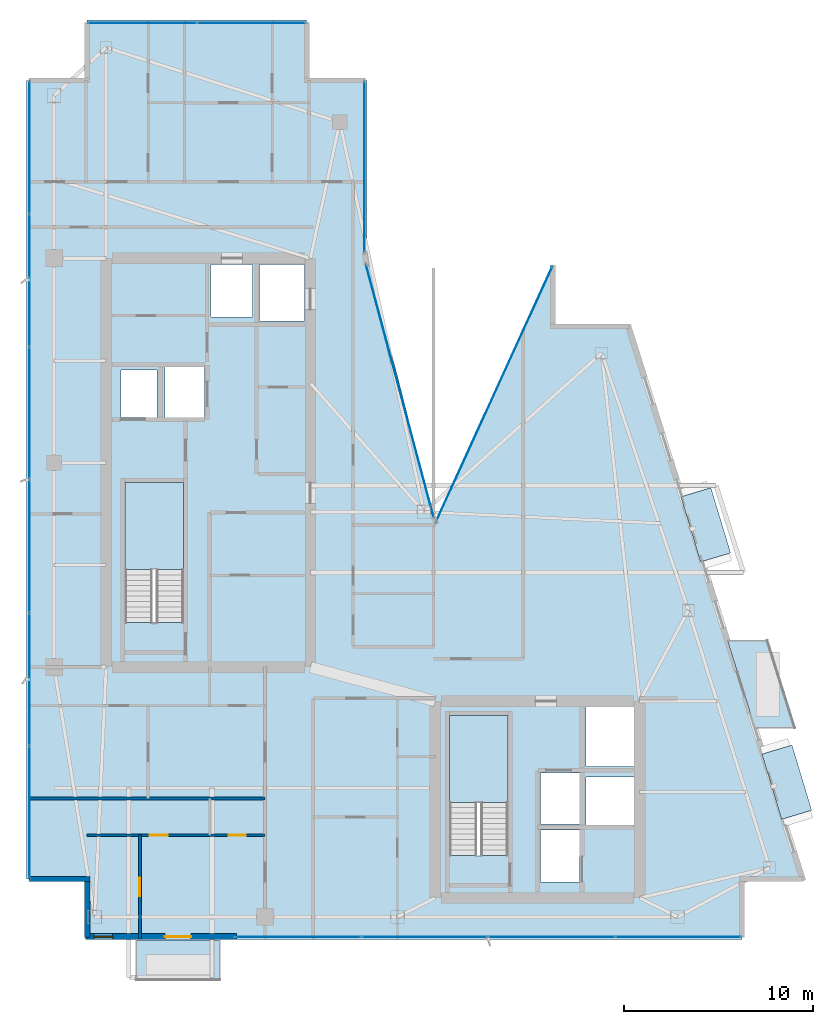
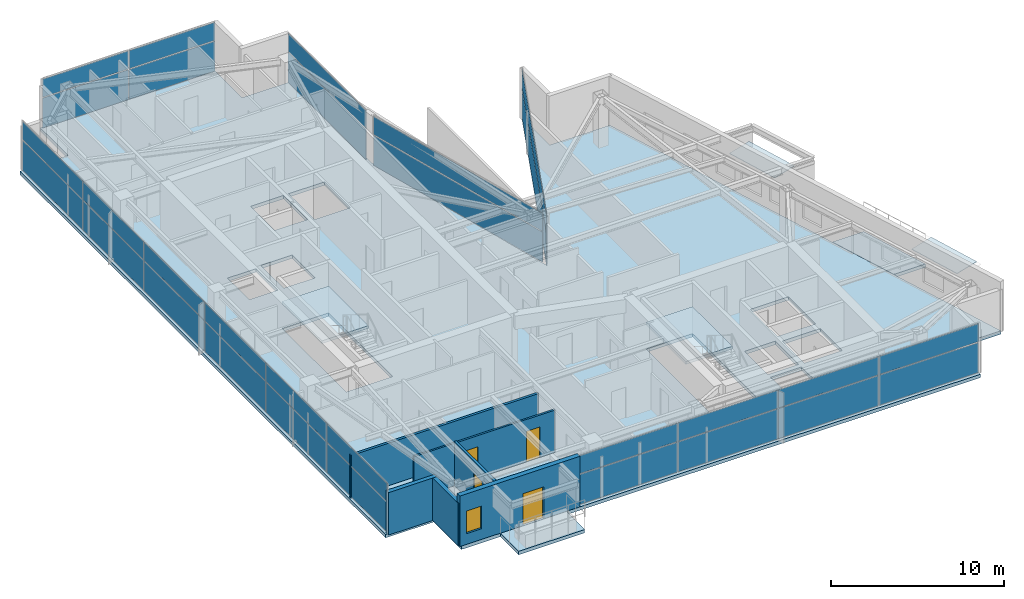
# One storey, part 21 of 27: 32 plates, 6 walls, 5 slabs, 4 doors, 1 window, 5 openings, 8 elements without a shape of their own.
"""IFC4 building model written with IfcOpenShell, lengths in metres."""

from ifc_helpers import new_model, si_unit, direction, frame, frame_2d, origin, origin_2d, place, context, subcontext, project, spatial, polyline, rectangle, outline, extrude, material, layer, layer_set, type_object, element, fill, aggregate, save


model = new_model("IFC4")

# Units and contexts
model_context = context("Model", 3, precision=1e-05, world=origin(), true_north=direction((0.0, 1.0)))
body_context = subcontext(model_context, "Body", "Model", "MODEL_VIEW")
ifc_project = project(units=[si_unit("LENGTHUNIT", "METRE"), si_unit("AREAUNIT", "SQUARE_METRE"), si_unit("VOLUMEUNIT", "CUBIC_METRE"), si_unit("PLANEANGLEUNIT", "RADIAN"), si_unit("MASSUNIT", "GRAM", prefix="KILO")], contexts=[model_context])

# Site, building, storey
site_placement = place(None, origin())
site = spatial("IfcSite", under=ifc_project, at=site_placement, CompositionType="ELEMENT")
building_placement = place(site_placement, origin())
building = spatial("IfcBuilding", under=site, at=building_placement, Name="Calvorn Quay Hotel", CompositionType="ELEMENT")
storey_placement = place(building_placement, frame((0.0, 0.0, 298.699951171875)))
storey = spatial("IfcBuildingStorey", under=building, at=storey_placement, Name="L74", CompositionType="ELEMENT", Elevation=298.699951171875)

# Curtain wall, plates
ifc_material_1 = material(Name="Champagne Bronze Anodised Aluminium and Low-E Glass", Category="aluminium")
ifc_layer_1 = layer(ifc_material_1, 0.219970703125)
ifc_layer_set_1 = layer_set([ifc_layer_1], Name="CW-SYS-Z4")
curtain_wall_type = type_object("IfcCurtainWallType", Name="CW-SYS-Z4", PredefinedType="NOTDEFINED", material=ifc_layer_set_1)
curtain_wall_1_placement = place(storey_placement, origin())
curtain_wall_1 = element("IfcCurtainWall", 1, at=curtain_wall_1_placement, inside=storey, type_object=curtain_wall_type, Name="Tower West Curtain Wall (L74)", PredefinedType="NOTDEFINED")
ifc_material_2 = material(Name="Low-E Laminated Double Glazing", Category="glass")
ifc_layer_2 = layer(ifc_material_2, 0.028076171875)
ifc_layer_set_2 = layer_set([ifc_layer_2], Name="CW-SYS-Z4-PAN")
plate_type_1 = type_object("IfcPlateType", Name="CW-SYS-Z4-PAN", PredefinedType="CURTAIN_PANEL", material=ifc_layer_set_2)
plate_1_placement = place(storey_placement, frame((0.14990234375, 9.131591796875, 0.06005859375), z_axis=(0.0, 0.0, 1.0), x_axis=(0.0, 1.0, 0.0)))
plate_1 = element("IfcPlate", 2, at=plate_1_placement, type_object=plate_type_1, Name="CW-L74-W panel 1.1", PredefinedType="CURTAIN_PANEL", context=body_context, shape_type="SweptSolid", body=[
    extrude(rectangle(XDim=6.943359375, YDim=0.028076171875, at=origin_2d()), origin(), (0.0, 0.0, 1.0), 2.110107421875),
])
plate_2_placement = place(storey_placement, frame((0.14990234375, 9.131591796875, 2.22998046875), z_axis=(0.0, 0.0, 1.0), x_axis=(0.0, 1.0, 0.0)))
plate_2 = element("IfcPlate", 3, at=plate_2_placement, type_object=plate_type_1, Name="CW-L74-W panel 1.2", PredefinedType="CURTAIN_PANEL", context=body_context, shape_type="SweptSolid", body=[
    extrude(rectangle(XDim=6.943359375, YDim=0.028076171875, at=origin_2d()), origin(), (0.0, 0.0, 1.0), 1.27001953125),
])
plate_3_placement = place(storey_placement, frame((0.14990234375, 16.14990234375, 0.06005859375), z_axis=(0.0, 0.0, 1.0), x_axis=(0.0, 1.0, 0.0)))
plate_3 = element("IfcPlate", 4, at=plate_3_placement, type_object=plate_type_1, Name="CW-L74-W panel 2.1", PredefinedType="CURTAIN_PANEL", context=body_context, shape_type="SweptSolid", body=[
    extrude(rectangle(XDim=6.973388671875, YDim=0.028076171875, at=origin_2d()), origin(), (0.0, 0.0, 1.0), 2.110107421875),
])
plate_4_placement = place(storey_placement, frame((0.14990234375, 16.14990234375, 2.22998046875), z_axis=(0.0, 0.0, 1.0), x_axis=(0.0, 1.0, 0.0)))
plate_4 = element("IfcPlate", 5, at=plate_4_placement, type_object=plate_type_1, Name="CW-L74-W panel 2.2", PredefinedType="CURTAIN_PANEL", context=body_context, shape_type="SweptSolid", body=[
    extrude(rectangle(XDim=6.973388671875, YDim=0.028076171875, at=origin_2d()), origin(), (0.0, 0.0, 1.0), 1.27001953125),
])
plate_5_placement = place(storey_placement, frame((0.14990234375, 23.183349609375, 0.06005859375), z_axis=(0.0, 0.0, 1.0), x_axis=(0.0, 1.0, 0.0)))
plate_5 = element("IfcPlate", 6, at=plate_5_placement, type_object=plate_type_1, Name="CW-L74-W panel 3.1", PredefinedType="CURTAIN_PANEL", context=body_context, shape_type="SweptSolid", body=[
    extrude(rectangle(XDim=6.973388671875, YDim=0.028076171875, at=origin_2d()), origin(), (0.0, 0.0, 1.0), 2.110107421875),
])
plate_6_placement = place(storey_placement, frame((0.14990234375, 23.183349609375, 2.22998046875), z_axis=(0.0, 0.0, 1.0), x_axis=(0.0, 1.0, 0.0)))
plate_6 = element("IfcPlate", 7, at=plate_6_placement, type_object=plate_type_1, Name="CW-L74-W panel 3.2", PredefinedType="CURTAIN_PANEL", context=body_context, shape_type="SweptSolid", body=[
    extrude(rectangle(XDim=6.973388671875, YDim=0.028076171875, at=origin_2d()), origin(), (0.0, 0.0, 1.0), 1.27001953125),
])
plate_7_placement = place(storey_placement, frame((0.14990234375, 30.216552734375, 0.06005859375), z_axis=(0.0, 0.0, 1.0), x_axis=(0.0, 1.0, 0.0)))
plate_7 = element("IfcPlate", 8, at=plate_7_placement, type_object=plate_type_1, Name="CW-L74-W panel 4.1", PredefinedType="CURTAIN_PANEL", context=body_context, shape_type="SweptSolid", body=[
    extrude(rectangle(XDim=6.973388671875, YDim=0.028076171875, at=origin_2d()), origin(), (0.0, 0.0, 1.0), 2.110107421875),
])
plate_8_placement = place(storey_placement, frame((0.14990234375, 30.216552734375, 2.22998046875), z_axis=(0.0, 0.0, 1.0), x_axis=(0.0, 1.0, 0.0)))
plate_8 = element("IfcPlate", 9, at=plate_8_placement, type_object=plate_type_1, Name="CW-L74-W panel 4.2", PredefinedType="CURTAIN_PANEL", context=body_context, shape_type="SweptSolid", body=[
    extrude(rectangle(XDim=6.973388671875, YDim=0.028076171875, at=origin_2d()), origin(), (0.0, 0.0, 1.0), 1.27001953125),
])
plate_9_placement = place(storey_placement, frame((0.14990234375, 37.25, 0.06005859375), z_axis=(0.0, 0.0, 1.0), x_axis=(0.0, 1.0, 0.0)))
plate_9 = element("IfcPlate", 10, at=plate_9_placement, type_object=plate_type_1, Name="CW-L74-W panel 5.1", PredefinedType="CURTAIN_PANEL", context=body_context, shape_type="SweptSolid", body=[
    extrude(rectangle(XDim=6.973388671875, YDim=0.028076171875, at=origin_2d()), origin(), (0.0, 0.0, 1.0), 2.110107421875),
])
plate_10_placement = place(storey_placement, frame((0.14990234375, 37.25, 2.22998046875), z_axis=(0.0, 0.0, 1.0), x_axis=(0.0, 1.0, 0.0)))
plate_10 = element("IfcPlate", 11, at=plate_10_placement, type_object=plate_type_1, Name="CW-L74-W panel 5.2", PredefinedType="CURTAIN_PANEL", context=body_context, shape_type="SweptSolid", body=[
    extrude(rectangle(XDim=6.973388671875, YDim=0.028076171875, at=origin_2d()), origin(), (0.0, 0.0, 1.0), 1.27001953125),
])
plate_11_placement = place(storey_placement, frame((0.14990234375, 44.268310546875, 0.06005859375), z_axis=(0.0, 0.0, 1.0), x_axis=(0.0, 1.0, 0.0)))
plate_11 = element("IfcPlate", 12, at=plate_11_placement, type_object=plate_type_1, Name="CW-L74-W panel 6.1", PredefinedType="CURTAIN_PANEL", context=body_context, shape_type="SweptSolid", body=[
    extrude(rectangle(XDim=6.943359375, YDim=0.028076171875, at=origin_2d()), origin(), (0.0, 0.0, 1.0), 2.110107421875),
])
plate_12_placement = place(storey_placement, frame((0.14990234375, 44.268310546875, 2.22998046875), z_axis=(0.0, 0.0, 1.0), x_axis=(0.0, 1.0, 0.0)))
plate_12 = element("IfcPlate", 13, at=plate_12_placement, type_object=plate_type_1, Name="CW-L74-W panel 6.2", PredefinedType="CURTAIN_PANEL", context=body_context, shape_type="SweptSolid", body=[
    extrude(rectangle(XDim=6.943359375, YDim=0.028076171875, at=origin_2d()), origin(), (0.0, 0.0, 1.0), 1.27001953125),
])
aggregate(curtain_wall_1, [plate_1, plate_2, plate_3, plate_4, plate_5, plate_6, plate_7, plate_8, plate_9, plate_10, plate_11, plate_12])

curtain_wall_2_placement = place(storey_placement, origin())
curtain_wall_2 = element("IfcCurtainWall", 14, at=curtain_wall_2_placement, inside=storey, type_object=curtain_wall_type, Name="Tower South Waterfront Curtain Wall (L74)", PredefinedType="NOTDEFINED")
plate_13_placement = place(storey_placement, frame((14.364990234375, 2.550048828125, 0.06005859375), z_axis=(0.0, 0.0, 1.0), x_axis=(1.0, 0.0, 0.0)))
plate_13 = element("IfcPlate", 15, at=plate_13_placement, type_object=plate_type_1, Name="CW-L74-S panel 1.1", PredefinedType="CURTAIN_PANEL", context=body_context, shape_type="SweptSolid", body=[
    extrude(rectangle(XDim=6.610107421875, YDim=0.028076171875, at=origin_2d()), origin(), (0.0, 0.0, 1.0), 2.110107421875),
])
plate_14_placement = place(storey_placement, frame((14.364990234375, 2.550048828125, 2.22998046875), z_axis=(0.0, 0.0, 1.0), x_axis=(1.0, 0.0, 0.0)))
plate_14 = element("IfcPlate", 16, at=plate_14_placement, type_object=plate_type_1, Name="CW-L74-S panel 1.2", PredefinedType="CURTAIN_PANEL", context=body_context, shape_type="SweptSolid", body=[
    extrude(rectangle(XDim=6.610107421875, YDim=0.028076171875, at=origin_2d()), origin(), (0.0, 0.0, 1.0), 1.27001953125),
])
plate_15_placement = place(storey_placement, frame((21.050048828125, 2.550048828125, 0.06005859375), z_axis=(0.0, 0.0, 1.0), x_axis=(1.0, 0.0, 0.0)))
plate_15 = element("IfcPlate", 17, at=plate_15_placement, type_object=plate_type_1, Name="CW-L74-S panel 2.1", PredefinedType="CURTAIN_PANEL", context=body_context, shape_type="SweptSolid", body=[
    extrude(rectangle(XDim=6.639892578125, YDim=0.028076171875, at=origin_2d()), origin(), (0.0, 0.0, 1.0), 2.110107421875),
])
plate_16_placement = place(storey_placement, frame((21.050048828125, 2.550048828125, 2.22998046875), z_axis=(0.0, 0.0, 1.0), x_axis=(1.0, 0.0, 0.0)))
plate_16 = element("IfcPlate", 18, at=plate_16_placement, type_object=plate_type_1, Name="CW-L74-S panel 2.2", PredefinedType="CURTAIN_PANEL", context=body_context, shape_type="SweptSolid", body=[
    extrude(rectangle(XDim=6.639892578125, YDim=0.028076171875, at=origin_2d()), origin(), (0.0, 0.0, 1.0), 1.27001953125),
])
plate_17_placement = place(storey_placement, frame((27.75, 2.550048828125, 0.06005859375), z_axis=(0.0, 0.0, 1.0), x_axis=(1.0, 0.0, 0.0)))
plate_17 = element("IfcPlate", 19, at=plate_17_placement, type_object=plate_type_1, Name="CW-L74-S panel 3.1", PredefinedType="CURTAIN_PANEL", context=body_context, shape_type="SweptSolid", body=[
    extrude(rectangle(XDim=6.639892578125, YDim=0.028076171875, at=origin_2d()), origin(), (0.0, 0.0, 1.0), 2.110107421875),
])
plate_18_placement = place(storey_placement, frame((27.75, 2.550048828125, 2.22998046875), z_axis=(0.0, 0.0, 1.0), x_axis=(1.0, 0.0, 0.0)))
plate_18 = element("IfcPlate", 20, at=plate_18_placement, type_object=plate_type_1, Name="CW-L74-S panel 3.2", PredefinedType="CURTAIN_PANEL", context=body_context, shape_type="SweptSolid", body=[
    extrude(rectangle(XDim=6.639892578125, YDim=0.028076171875, at=origin_2d()), origin(), (0.0, 0.0, 1.0), 1.27001953125),
])
plate_19_placement = place(storey_placement, frame((34.43505859375, 2.550048828125, 0.06005859375), z_axis=(0.0, 0.0, 1.0), x_axis=(1.0, 0.0, 0.0)))
plate_19 = element("IfcPlate", 21, at=plate_19_placement, type_object=plate_type_1, Name="CW-L74-S panel 4.1", PredefinedType="CURTAIN_PANEL", context=body_context, shape_type="SweptSolid", body=[
    extrude(rectangle(XDim=6.610107421875, YDim=0.028076171875, at=origin_2d()), origin(), (0.0, 0.0, 1.0), 2.110107421875),
])
plate_20_placement = place(storey_placement, frame((34.43505859375, 2.550048828125, 2.22998046875), z_axis=(0.0, 0.0, 1.0), x_axis=(1.0, 0.0, 0.0)))
plate_20 = element("IfcPlate", 22, at=plate_20_placement, type_object=plate_type_1, Name="CW-L74-S panel 4.2", PredefinedType="CURTAIN_PANEL", context=body_context, shape_type="SweptSolid", body=[
    extrude(rectangle(XDim=6.610107421875, YDim=0.028076171875, at=origin_2d()), origin(), (0.0, 0.0, 1.0), 1.27001953125),
])
aggregate(curtain_wall_2, [plate_13, plate_14, plate_15, plate_16, plate_17, plate_18, plate_19, plate_20])

curtain_wall_3_placement = place(storey_placement, origin())
curtain_wall_3 = element("IfcCurtainWall", 23, at=curtain_wall_3_placement, inside=storey, type_object=curtain_wall_type, Name="Inner Court Curtain Wall L74-NE1", PredefinedType="NOTDEFINED")
plate_21_placement = place(storey_placement, frame((24.699951171875, 31.199951171875, 0.06005859375), z_axis=(0.0, 0.0, 1.0), x_axis=(-0.414810847724, -0.909907665981, 0.0)))
plate_21 = element("IfcPlate", 24, at=plate_21_placement, type_object=plate_type_1, Name="CW-L74-NE1 panel 1.1", PredefinedType="CURTAIN_PANEL", context=body_context, shape_type="SweptSolid", body=[
    extrude(rectangle(XDim=14.82666015625, YDim=0.028076171875, at=origin_2d()), origin(), (0.0, 0.0, 1.0), 2.110107421875),
])
plate_22_placement = place(storey_placement, frame((24.699951171875, 31.199951171875, 2.22998046875), z_axis=(0.0, 0.0, 1.0), x_axis=(-0.414810847724, -0.909907665981, 0.0)))
plate_22 = element("IfcPlate", 25, at=plate_22_placement, type_object=plate_type_1, Name="CW-L74-NE1 panel 1.2", PredefinedType="CURTAIN_PANEL", context=body_context, shape_type="SweptSolid", body=[
    extrude(rectangle(XDim=14.82666015625, YDim=0.028076171875, at=origin_2d()), origin(), (0.0, 0.0, 1.0), 1.27001953125),
])
aggregate(curtain_wall_3, [plate_21, plate_22])

curtain_wall_4_placement = place(storey_placement, origin())
curtain_wall_4 = element("IfcCurtainWall", 26, at=curtain_wall_4_placement, inside=storey, type_object=curtain_wall_type, Name="Inner Court Curtain Wall L74-IC1", PredefinedType="NOTDEFINED")
plate_23_placement = place(storey_placement, frame((19.72509765625, 31.39990234375, 0.06005859375), z_axis=(0.0, 0.0, 1.0), x_axis=(-0.25877913024, 0.96593652056, 0.0)))
plate_23 = element("IfcPlate", 27, at=plate_23_placement, type_object=plate_type_1, Name="CW-L74-IC1 panel 1.1", PredefinedType="CURTAIN_PANEL", context=body_context, shape_type="SweptSolid", body=[
    extrude(rectangle(XDim=13.814697265625, YDim=0.028076171875, at=origin_2d()), origin(), (0.0, 0.0, 1.0), 2.110107421875),
])
plate_24_placement = place(storey_placement, frame((19.72509765625, 31.39990234375, 2.22998046875), z_axis=(0.0, 0.0, 1.0), x_axis=(-0.25877913024, 0.96593652056, 0.0)))
plate_24 = element("IfcPlate", 28, at=plate_24_placement, type_object=plate_type_1, Name="CW-L74-IC1 panel 1.2", PredefinedType="CURTAIN_PANEL", context=body_context, shape_type="SweptSolid", body=[
    extrude(rectangle(XDim=13.814697265625, YDim=0.028076171875, at=origin_2d()), origin(), (0.0, 0.0, 1.0), 1.27001953125),
])
aggregate(curtain_wall_4, [plate_23, plate_24])

curtain_wall_5_placement = place(storey_placement, origin())
curtain_wall_5 = element("IfcCurtainWall", 29, at=curtain_wall_5_placement, inside=storey, type_object=curtain_wall_type, Name="Inner Court Curtain Wall L74-IC2", PredefinedType="NOTDEFINED")
plate_25_placement = place(storey_placement, frame((17.85009765625, 43.239990234375, 0.06005859375), z_axis=(0.0, 0.0, 1.0), x_axis=(0.0, 1.0, 0.0)))
plate_25 = element("IfcPlate", 30, at=plate_25_placement, type_object=plate_type_1, Name="CW-L74-IC2 panel 1.1", PredefinedType="CURTAIN_PANEL", context=body_context, shape_type="SweptSolid", body=[
    extrude(rectangle(XDim=9.0, YDim=0.028076171875, at=origin_2d()), origin(), (0.0, 0.0, 1.0), 2.110107421875),
])
plate_26_placement = place(storey_placement, frame((17.85009765625, 43.239990234375, 2.22998046875), z_axis=(0.0, 0.0, 1.0), x_axis=(0.0, 1.0, 0.0)))
plate_26 = element("IfcPlate", 31, at=plate_26_placement, type_object=plate_type_1, Name="CW-L74-IC2 panel 1.2", PredefinedType="CURTAIN_PANEL", context=body_context, shape_type="SweptSolid", body=[
    extrude(rectangle(XDim=9.0, YDim=0.028076171875, at=origin_2d()), origin(), (0.0, 0.0, 1.0), 1.27001953125),
])
aggregate(curtain_wall_5, [plate_25, plate_26])

curtain_wall_6_placement = place(storey_placement, origin())
curtain_wall_6 = element("IfcCurtainWall", 32, at=curtain_wall_6_placement, inside=storey, type_object=curtain_wall_type, Name="Inner Court Curtain Wall L74-N1", PredefinedType="NOTDEFINED")
plate_27_placement = place(storey_placement, frame((11.885009765625, 50.85009765625, 0.06005859375), z_axis=(0.0, 0.0, 1.0), x_axis=(-1.0, 0.0, 0.0)))
plate_27 = element("IfcPlate", 33, at=plate_27_placement, type_object=plate_type_1, Name="CW-L74-N1 panel 1.1", PredefinedType="CURTAIN_PANEL", context=body_context, shape_type="SweptSolid", body=[
    extrude(rectangle(XDim=5.7099609375, YDim=0.028076171875, at=origin_2d()), origin(), (0.0, 0.0, 1.0), 2.110107421875),
])
plate_28_placement = place(storey_placement, frame((11.885009765625, 50.85009765625, 2.22998046875), z_axis=(0.0, 0.0, 1.0), x_axis=(-1.0, 0.0, 0.0)))
plate_28 = element("IfcPlate", 34, at=plate_28_placement, type_object=plate_type_1, Name="CW-L74-N1 panel 1.2", PredefinedType="CURTAIN_PANEL", context=body_context, shape_type="SweptSolid", body=[
    extrude(rectangle(XDim=5.7099609375, YDim=0.028076171875, at=origin_2d()), origin(), (0.0, 0.0, 1.0), 1.27001953125),
])
plate_29_placement = place(storey_placement, frame((6.114990234375, 50.85009765625, 0.06005859375), z_axis=(0.0, 0.0, 1.0), x_axis=(-1.0, 0.0, 0.0)))
plate_29 = element("IfcPlate", 35, at=plate_29_placement, type_object=plate_type_1, Name="CW-L74-N1 panel 2.1", PredefinedType="CURTAIN_PANEL", context=body_context, shape_type="SweptSolid", body=[
    extrude(rectangle(XDim=5.7099609375, YDim=0.028076171875, at=origin_2d()), origin(), (0.0, 0.0, 1.0), 2.110107421875),
])
plate_30_placement = place(storey_placement, frame((6.114990234375, 50.85009765625, 2.22998046875), z_axis=(0.0, 0.0, 1.0), x_axis=(-1.0, 0.0, 0.0)))
plate_30 = element("IfcPlate", 36, at=plate_30_placement, type_object=plate_type_1, Name="CW-L74-N1 panel 2.2", PredefinedType="CURTAIN_PANEL", context=body_context, shape_type="SweptSolid", body=[
    extrude(rectangle(XDim=5.7099609375, YDim=0.028076171875, at=origin_2d()), origin(), (0.0, 0.0, 1.0), 1.27001953125),
])
aggregate(curtain_wall_6, [plate_27, plate_28, plate_29, plate_30])

# Plates
ifc_material_3 = material(Name="Tempered Laminated Low-E Glass", Category="glass")
ifc_layer_3 = layer(ifc_material_3, 0.0380859375)
ifc_layer_set_3 = layer_set([ifc_layer_3], Name="PLT-HOOD-GLAZ")
plate_type_2 = type_object("IfcPlateType", Name="PLT-HOOD-GLAZ", PredefinedType="SHEET", material=ifc_layer_set_3)
for number, where, z_axis, x_axis, name in (
    (37, (40.174072265625, 10.718017578125, 2.467041015625), (0.0, 0.0, 1.0), (0.957319497532, 0.289031796944, 0.0), "Angled Glass Bay Hood Panel L74-HOOD-1"),
    (38, (35.888916015625, 24.318115234375, 2.467041015625), (0.0, 0.0, 1.0), (0.957319497532, 0.289031796944, 0.0), "Angled Glass Bay Hood Panel L74-HOOD-3"),
):
    element("IfcPlate", number, at=place(storey_placement, frame(where, z_axis=z_axis, x_axis=x_axis)), inside=storey, type_object=plate_type_2, Name=name, PredefinedType="SHEET", context=body_context, shape_type="SweptSolid", body=[
        extrude(rectangle(XDim=1.659912109375, YDim=3.60009765625, at=origin_2d()), origin(), (0.0, 0.0, 1.0), 0.0380859375),
    ])

# Slabs
ifc_material_4 = material(Name="Concrete C40", Category="concrete")
ifc_layer_4 = layer(ifc_material_4, 0.239990234375)
ifc_layer_set_4 = layer_set([ifc_layer_4], Name="SLB-BALCONY-220")
slab_type_1 = type_object("IfcSlabType", Name="SLB-BALCONY-220", PredefinedType="FLOOR", material=ifc_layer_set_4)
slab_1_placement = place(storey_placement, frame((0.0, 0.0, -0.239990234375)))
element("IfcSlab", 39, at=slab_1_placement, inside=storey, type_object=slab_type_1, Name="Tree Balcony Slab L74-BALC-E", PredefinedType="FLOOR", context=body_context, shape_type="SweptSolid", body=[
    extrude(outline(polyline([(38.489013671875, 13.60009765625), (40.589111328125, 13.60009765625), (39.139892578125, 18.199951171875), (37.0400390625, 18.199951171875), (38.489013671875, 13.60009765625)])), origin(), (0.0, 0.0, 1.0), 0.239990234375),
])
slab_2_placement = place(storey_placement, frame((0.0, 0.0, -0.239990234375)))
element("IfcSlab", 40, at=slab_2_placement, inside=storey, type_object=slab_type_1, Name="Tree Balcony Slab L74-BALC-S", PredefinedType="FLOOR", context=body_context, shape_type="SweptSolid", body=[
    extrude(outline(polyline([(5.800048828125, 0.2900390625), (10.199951171875, 0.2900390625), (10.199951171875, 2.389892578125), (5.800048828125, 2.389892578125), (5.800048828125, 0.2900390625)])), origin(), (0.0, 0.0, 1.0), 0.239990234375),
])

# Stair, slab
ifc_material_5 = material(Name="Concrete C40", Category="concrete")
stair_type = type_object("IfcStairType", Name="STR-CORE-DOGLEG", PredefinedType="HALF_TURN_STAIR", material=ifc_material_5)
stair_1_placement = place(storey_placement, origin())
stair_1 = element("IfcStair", 41, at=stair_1_placement, inside=storey, type_object=stair_type, Name="L74 ST-W", PredefinedType="HALF_TURN_STAIR")
ifc_material_6 = material(Name="Concrete C40", Category="concrete")
ifc_layer_5 = layer(ifc_material_6, 0.199951171875)
ifc_layer_set_5 = layer_set([ifc_layer_5], Name="SLB-STAIR-LANDING-200")
slab_type_2 = type_object("IfcSlabType", Name="SLB-STAIR-LANDING-200", PredefinedType="LANDING", material=ifc_layer_set_5)
slab_3_placement = place(storey_placement, frame((0.0, 0.0, 1.699951171875)))
slab_3 = element("IfcSlab", 42, at=slab_3_placement, type_object=slab_type_2, Name="ST-W landing 1", PredefinedType="LANDING", context=body_context, shape_type="SweptSolid", body=[
    extrude(outline(polyline([(8.300048828125, 21.949951171875), (8.300048828125, 26.550048828125), (5.199951171875, 26.550048828125), (5.199951171875, 21.949951171875), (8.300048828125, 21.949951171875)])), origin(), (0.0, 0.0, 1.0), 0.2001953125),
])
aggregate(stair_1, [slab_3])

stair_2_placement = place(storey_placement, origin())
stair_2 = element("IfcStair", 43, at=stair_2_placement, inside=storey, type_object=stair_type, Name="L74 ST-E", PredefinedType="HALF_TURN_STAIR")
slab_4_placement = place(storey_placement, frame((0.0, 0.0, 1.699951171875)))
slab_4 = element("IfcSlab", 44, at=slab_4_placement, type_object=slab_type_2, Name="ST-E landing 1", PredefinedType="LANDING", context=body_context, shape_type="SweptSolid", body=[
    extrude(outline(polyline([(25.449951171875, 9.64990234375), (25.449951171875, 14.25), (22.35009765625, 14.25), (22.35009765625, 9.64990234375), (25.449951171875, 9.64990234375)])), origin(), (0.0, 0.0, 1.0), 0.2001953125),
])
aggregate(stair_2, [slab_4])

# Slab
ifc_material_7 = material(Name="Concrete C40", Category="concrete")
ifc_layer_6 = layer(ifc_material_7, 0.239990234375)
ifc_layer_set_6 = layer_set([ifc_layer_6], Name="SLB-TOWER-240")
slab_type_3 = type_object("IfcSlabType", Name="SLB-TOWER-240", PredefinedType="FLOOR", material=ifc_layer_set_6)
slab_5_placement = place(storey_placement, frame((0.0, 0.0, -0.239990234375)))
element("IfcSlab", 45, at=slab_5_placement, inside=storey, type_object=slab_type_3, Name="L74 Structural Floor Slab", PredefinedType="FLOOR", context=body_context, shape_type="SweptSolid", body=[
    extrude(outline(polyline([(0.0, 5.60009765625), (3.199951171875, 5.60009765625), (3.199951171875, 2.39990234375), (37.800048828125, 2.39990234375), (37.800048828125, 5.60009765625), (41.0, 5.60009765625), (31.800048828125, 34.800048828125), (27.800048828125, 34.800048828125), (27.800048828125, 38.0), (21.60009765625, 24.39990234375), (18.0, 38.39990234375), (18.0, 47.800048828125), (14.800048828125, 47.800048828125), (14.800048828125, 51.0), (3.199951171875, 51.0), (3.199951171875, 47.800048828125), (0.0, 47.800048828125), (0.0, 5.60009765625)]), holes=[polyline([(5.199951171875, 19.156005859375), (8.300048828125, 19.156005859375), (8.300048828125, 26.550048828125), (5.199951171875, 26.550048828125), (5.199951171875, 19.156005859375)]), polyline([(22.35009765625, 6.85595703125), (25.449951171875, 6.85595703125), (25.449951171875, 14.25), (22.35009765625, 14.25), (22.35009765625, 6.85595703125)]), polyline([(5.0, 30.0), (6.89990234375, 30.0), (6.89990234375, 32.5), (5.0, 32.5), (5.0, 30.0)]), polyline([(7.300048828125, 30.0), (9.39990234375, 30.0), (9.39990234375, 32.64990234375), (7.300048828125, 32.64990234375), (7.300048828125, 30.0)]), polyline([(27.159912109375, 8.5), (29.2099609375, 8.5), (29.2099609375, 11.199951171875), (27.159912109375, 11.199951171875), (27.159912109375, 8.5)]), polyline([(27.159912109375, 5.449951171875), (29.2099609375, 5.449951171875), (29.2099609375, 8.199951171875), (27.159912109375, 8.199951171875), (27.159912109375, 5.449951171875)]), polyline([(12.300048828125, 35.10009765625), (14.68994140625, 35.10009765625), (14.68994140625, 38.090087890625), (12.300048828125, 38.090087890625), (12.300048828125, 35.10009765625)]), polyline([(9.75, 35.300048828125), (11.949951171875, 35.300048828125), (11.949951171875, 38.090087890625), (9.75, 38.090087890625), (9.75, 35.300048828125)]), polyline([(29.550048828125, 11.550048828125), (32.090087890625, 11.550048828125), (32.090087890625, 14.68994140625), (29.550048828125, 14.68994140625), (29.550048828125, 11.550048828125)]), polyline([(29.550048828125, 8.449951171875), (32.090087890625, 8.449951171875), (32.090087890625, 11.0), (29.550048828125, 11.0), (29.550048828125, 8.449951171875)])]), origin(), (0.0, 0.0, 1.0), 0.239990234375),
])

# Wall, openings, doors
ifc_material_8 = material(Name="Moisture-Resistant Tile-Backed Partition")
ifc_layer_7 = layer(ifc_material_8, 0.125)
ifc_layer_set_7 = layer_set([ifc_layer_7], Name="WL-ENSUITE-125")
wall_type_1 = type_object("IfcWallType", Name="WL-ENSUITE-125", PredefinedType="PARTITIONING", material=ifc_layer_set_7)
wall_1_placement = place(storey_placement, frame((3.199951171875, 7.919921875, 0.0), z_axis=(0.0, 0.0, 1.0), x_axis=(1.0, 0.0, 0.0)))
wall_1 = element("IfcWall", 46, at=wall_1_placement, inside=storey, type_object=wall_type_1, Name="Partition Wall L74-WL-U01-BH", PredefinedType="PARTITIONING", context=body_context, shape_type="SweptSolid", body=[
    extrude(rectangle(XDim=9.400146484375, YDim=0.125, at=frame_2d((4.7001953125, 0.0))), origin(), (0.0, 0.0, 1.0), 2.989990234375),
])
opening_1_placement = place(wall_1_placement, frame((3.300048828125, 0.0, 0.0)))
opening_1 = element("IfcOpeningElement", 47, at=opening_1_placement, cuts=wall_1, Name="Opening D-L74-S01", PredefinedType="OPENING", context=body_context, shape_type="SweptSolid", body=[
    extrude(rectangle(XDim=0.9599609375, YDim=2.199951171875, at=frame_2d((0.47998046875, 1.10009765625))), frame((0.0, 0.072509765625, 0.0), z_axis=(0.0, -1.0, 0.0), x_axis=(1.0, 0.0, 0.0)), (0.0, 0.0, 1.0), 0.14501953125),
])
opening_2_placement = place(wall_1_placement, frame((7.489990234375, 0.0, 0.0)))
opening_2 = element("IfcOpeningElement", 48, at=opening_2_placement, cuts=wall_1, Name="Opening D-L74-E01", PredefinedType="OPENING", context=body_context, shape_type="SweptSolid", body=[
    extrude(rectangle(XDim=0.89990234375, YDim=2.14990234375, at=frame_2d((0.449951171875, 1.074951171875))), frame((0.0, 0.072509765625, 0.0), z_axis=(0.0, -1.0, 0.0), x_axis=(1.0, 0.0, 0.0)), (0.0, 0.0, 1.0), 0.14501953125),
])
ifc_material_9 = material(Name="Moisture-Sealed Timber En-Suite Door", Category="wood")
door_type_1 = type_object("IfcDoorType", Name="DR-ENSUITE-900", OperationType="NOTDEFINED", PredefinedType="DOOR", material=ifc_material_9)
door_1_placement = place(opening_2_placement, origin())
door_1 = element("IfcDoor", 49, at=door_1_placement, inside=storey, type_object=door_type_1, Name="En-Suite Door 01", OperationType="SINGLE_SWING_RIGHT", OverallHeight=2.14990234375, OverallWidth=0.89990234375, PredefinedType="DOOR", context=body_context, shape_type="SweptSolid", body=[
    extrude(rectangle(XDim=0.89990234375, YDim=2.14990234375, at=frame_2d((0.449951171875, 1.074951171875))), frame((0.0, 0.02490234375, 0.0), z_axis=(0.0, -1.0, 0.0), x_axis=(1.0, 0.0, 0.0)), (0.0, 0.0, 1.0), 0.050048828125),
])
fill(opening_2, door_1)
ifc_material_10 = material(Name="Solid Timber Internal Suite Door", Category="wood")
door_type_2 = type_object("IfcDoorType", Name="DR-SUITE-INT-960", OperationType="NOTDEFINED", PredefinedType="DOOR", material=ifc_material_10)
door_2_placement = place(opening_1_placement, origin())
door_2 = element("IfcDoor", 50, at=door_2_placement, inside=storey, type_object=door_type_2, Name="Executive Work Office Door 01", OperationType="SINGLE_SWING_LEFT", OverallHeight=2.199951171875, OverallWidth=0.9599609375, PredefinedType="DOOR", context=body_context, shape_type="SweptSolid", body=[
    extrude(rectangle(XDim=0.9599609375, YDim=2.199951171875, at=frame_2d((0.47998046875, 1.10009765625))), frame((0.0, 0.02490234375, 0.0), z_axis=(0.0, -1.0, 0.0), x_axis=(1.0, 0.0, 0.0)), (0.0, 0.0, 1.0), 0.050048828125),
])
fill(opening_1, door_2)

# Wall, openings, door, window
ifc_material_11 = material(Name="Concrete C40", Category="concrete")
ifc_layer_8 = layer(ifc_material_11, 0.320068359375)
ifc_layer_set_8 = layer_set([ifc_layer_8], Name="WL-EXT-SPANDREL-320")
wall_type_2 = type_object("IfcWallType", Name="WL-EXT-SPANDREL-320", PredefinedType="SOLIDWALL", material=ifc_layer_set_8)
wall_2_placement = place(storey_placement, frame((3.10009765625, 2.56005859375, 0.0), z_axis=(0.0, 0.0, 1.0), x_axis=(1.0, 0.0, 0.0)))
wall_2 = element("IfcWall", 51, at=wall_2_placement, inside=storey, type_object=wall_type_2, Name="South Balcony Exterior Wall (L74)", PredefinedType="SOLIDWALL", context=body_context, shape_type="SweptSolid", body=[
    extrude(rectangle(XDim=8.0, YDim=0.320068359375, at=frame_2d((4.0, 0.0))), origin(), (0.0, 0.0, 1.0), 3.56005859375),
])
opening_3_placement = place(wall_2_placement, frame((0.449951171875, 0.0, 0.75)))
opening_3 = element("IfcOpeningElement", 52, at=opening_3_placement, cuts=wall_2, Name="Opening WSB-L74-1", PredefinedType="OPENING", context=body_context, shape_type="SweptSolid", body=[
    extrude(rectangle(XDim=1.0, YDim=1.60009765625, at=frame_2d((0.5, 0.800048828125))), frame((0.0, 0.169921875, 0.0), z_axis=(0.0, -1.0, 0.0), x_axis=(1.0, 0.0, 0.0)), (0.0, 0.0, 1.0), 0.340087890625),
])
opening_4_placement = place(wall_2_placement, frame((4.199951171875, 0.0, 0.0)))
opening_4 = element("IfcOpeningElement", 53, at=opening_4_placement, cuts=wall_2, Name="Opening DB-L74-2", PredefinedType="OPENING", context=body_context, shape_type="SweptSolid", body=[
    extrude(rectangle(XDim=1.39990234375, YDim=2.25, at=frame_2d((0.699951171875, 1.125))), frame((0.0, 0.169921875, 0.0), z_axis=(0.0, -1.0, 0.0), x_axis=(1.0, 0.0, 0.0)), (0.0, 0.0, 1.0), 0.340087890625),
])
ifc_material_12 = material(Name="Typhoon-Rated Low-E Aluminium Terrace Door", Category="aluminium")
door_type_3 = type_object("IfcDoorType", Name="DR-BALCONY-GLZ-1400", OperationType="NOTDEFINED", PredefinedType="DOOR", material=ifc_material_12)
door_3_placement = place(opening_4_placement, origin())
door_3 = element("IfcDoor", 54, at=door_3_placement, inside=storey, type_object=door_type_3, Name="Tree Balcony Terrace Door L74-BALC-S", OperationType="SINGLE_SWING_LEFT", OverallHeight=2.25, OverallWidth=1.39990234375, PredefinedType="DOOR", context=body_context, shape_type="SweptSolid", body=[
    extrude(rectangle(XDim=1.39990234375, YDim=2.25, at=frame_2d((0.699951171875, 1.125))), frame((0.0, 0.02490234375, 0.0), z_axis=(0.0, -1.0, 0.0), x_axis=(1.0, 0.0, 0.0)), (0.0, 0.0, 1.0), 0.050048828125),
])
fill(opening_4, door_3)
ifc_material_13 = material(Name="Self-Closing Class B Side Fire Window")
window_type = type_object("IfcWindowType", Name="WIN-REFUGE-NARROW-1000x1600", PartitioningType="SINGLE_PANEL", PredefinedType="WINDOW", material=ifc_material_13)
window_placement = place(opening_3_placement, origin())
window = element("IfcWindow", 55, at=window_placement, inside=storey, type_object=window_type, Name="South Waterfront Side Window (L74)", OverallHeight=1.60009765625, OverallWidth=1.0, PartitioningType="SINGLE_PANEL", PredefinedType="WINDOW", context=body_context, shape_type="SweptSolid", body=[
    extrude(rectangle(XDim=1.0, YDim=1.60009765625, at=frame_2d((0.5, 0.800048828125))), frame((0.0, 0.030029296875, 0.0), z_axis=(0.0, -1.0, 0.0), x_axis=(1.0, 0.0, 0.0)), (0.0, 0.0, 1.0), 0.06005859375),
])
fill(opening_3, window)

# Walls
wall_3_placement = place(storey_placement, frame((0.1201171875, 5.60009765625, 0.0), z_axis=(0.0, 0.0, 1.0), x_axis=(1.0, 0.0, 0.0)))
element("IfcWall", 56, at=wall_3_placement, inside=storey, type_object=wall_type_2, Name="Notched Corner Spandrel L74-SW1", PredefinedType="SOLIDWALL", context=body_context, shape_type="SweptSolid", body=[
    extrude(rectangle(XDim=3.219970703125, YDim=0.280029296875, at=frame_2d((1.60986328125, 0.0))), origin(), (0.0, 0.0, 1.0), 2.989990234375),
])
wall_4_placement = place(storey_placement, frame((3.199951171875, 5.4599609375, 0.0), z_axis=(0.0, 0.0, 1.0), x_axis=(0.0, -1.0, 0.0)))
element("IfcWall", 57, at=wall_4_placement, inside=storey, type_object=wall_type_2, Name="Notched Corner Spandrel L74-SW2", PredefinedType="SOLIDWALL", context=body_context, shape_type="SweptSolid", body=[
    extrude(rectangle(XDim=2.93994140625, YDim=0.280029296875, at=frame_2d((1.469970703125, 0.0))), origin(), (0.0, 0.0, 1.0), 2.989990234375),
])

# Wall, opening, door
ifc_material_14 = material(Name="Double-Stud Acoustic Gypsum Partition")
ifc_layer_9 = layer(ifc_material_14, 0.159912109375)
ifc_layer_set_9 = layer_set([ifc_layer_9], Name="WL-INTERSUITE-160")
wall_type_3 = type_object("IfcWallType", Name="WL-INTERSUITE-160", PredefinedType="PARTITIONING", material=ifc_layer_set_9)
wall_5_placement = place(storey_placement, frame((5.97998046875, 2.43994140625, 0.0), z_axis=(0.0, 0.0, 1.0), x_axis=(0.0, 1.0, 0.0)))
wall_5 = element("IfcWall", 58, at=wall_5_placement, inside=storey, type_object=wall_type_3, Name="Partition Wall L74-WL-U01-MSP", PredefinedType="PARTITIONING", context=body_context, shape_type="SweptSolid", body=[
    extrude(rectangle(XDim=5.47998046875, YDim=0.159912109375, at=frame_2d((2.739990234375, 0.0))), origin(), (0.0, 0.0, 1.0), 3.090087890625),
])
opening_5_placement = place(wall_5_placement, frame((2.260009765625, 0.0, 0.0)))
opening_5 = element("IfcOpeningElement", 59, at=opening_5_placement, cuts=wall_5, Name="Opening D-L74-M01", PredefinedType="OPENING", context=body_context, shape_type="SweptSolid", body=[
    extrude(rectangle(XDim=0.9599609375, YDim=2.199951171875, at=frame_2d((0.47998046875, 1.10009765625))), frame((0.0, 0.08984375, 0.0), z_axis=(0.0, -1.0, 0.0), x_axis=(1.0, 0.0, 0.0)), (0.0, 0.0, 1.0), 0.179931640625),
])
door_4_placement = place(opening_5_placement, origin())
door_4 = element("IfcDoor", 60, at=door_4_placement, inside=storey, type_object=door_type_2, Name="Suite Bedroom Door 01", OperationType="SINGLE_SWING_LEFT", OverallHeight=2.199951171875, OverallWidth=0.9599609375, PredefinedType="DOOR", context=body_context, shape_type="SweptSolid", body=[
    extrude(rectangle(XDim=0.9599609375, YDim=2.199951171875, at=frame_2d((0.47998046875, 1.10009765625))), frame((0.0, 0.02490234375, 0.0), z_axis=(0.0, -1.0, 0.0), x_axis=(1.0, 0.0, 0.0)), (0.0, 0.0, 1.0), 0.050048828125),
])
fill(opening_5, door_4)

# Wall
wall_6_placement = place(storey_placement, frame((0.080078125, 9.85009765625, 0.0), z_axis=(0.0, 0.0, 1.0), x_axis=(1.0, 0.0, 0.0)))
element("IfcWall", 61, at=wall_6_placement, inside=storey, type_object=wall_type_3, Name="Partition Wall L74-WL-SW-DIV-1", PredefinedType="PARTITIONING", context=body_context, shape_type="SweptSolid", body=[
    extrude(rectangle(XDim=12.52001953125, YDim=0.159912109375, at=frame_2d((6.260009765625, 0.0))), origin(), (0.0, 0.0, 1.0), 2.989990234375),
])

save(model, "model.ifc")
